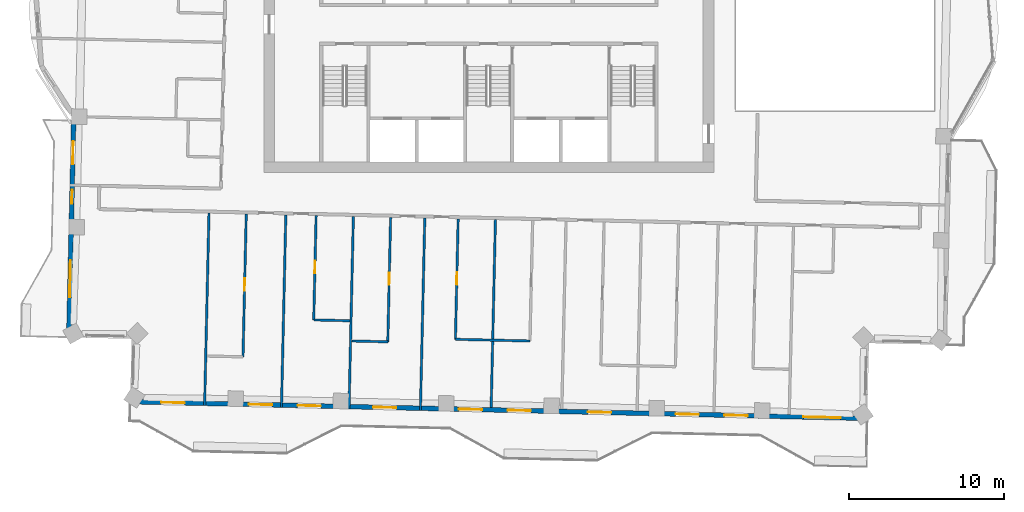
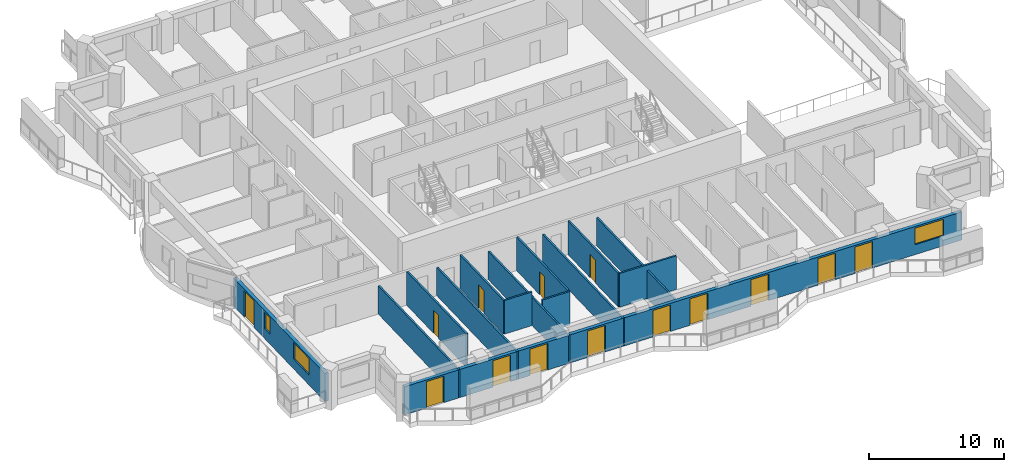
# One storey, part 6 of 17: 14 doors, 14 walls, 3 windows, 17 openings.
"""IFC4 building model written with IfcOpenShell, lengths in metres."""

from ifc_helpers import new_model, si_unit, direction, frame, frame_2d, origin, place, context, subcontext, project, spatial, rectangle, extrude, material, layer, layer_set, type_object, element, fill, save


model = new_model("IFC4")

# Units and contexts
model_context = context("Model", 3, precision=1e-05, world=origin(), true_north=direction((0.0, 1.0)))
body_context = subcontext(model_context, "Body", "Model", "MODEL_VIEW")
ifc_project = project(units=[si_unit("LENGTHUNIT", "METRE"), si_unit("AREAUNIT", "SQUARE_METRE"), si_unit("VOLUMEUNIT", "CUBIC_METRE"), si_unit("PLANEANGLEUNIT", "RADIAN"), si_unit("MASSUNIT", "GRAM", prefix="KILO")], contexts=[model_context])

# Site, building, storey
site_placement = place(None, origin())
site = spatial("IfcSite", under=ifc_project, at=site_placement, CompositionType="ELEMENT")
building_placement = place(site_placement, origin())
building = spatial("IfcBuilding", under=site, at=building_placement, Name="Mangrove Gate Tower", CompositionType="ELEMENT")
storey_placement = place(building_placement, frame((0.0, 0.0, 271.699951171875)))
storey = spatial("IfcBuildingStorey", under=building, at=storey_placement, Name="L69", CompositionType="ELEMENT", Elevation=271.699951171875)

# Wall, openings, door, windows
ifc_material_1 = material(Name="Limestone", Category="masonry")
ifc_layer_1 = layer(ifc_material_1, 0.0400390625, Name="Limestone cladding")
ifc_material_2 = material(Name="Ventilated air gap")
ifc_layer_2 = layer(ifc_material_2, 0.0400390625, Name="Ventilated cavity")
ifc_material_3 = material(Name="Mineral wool insulation")
ifc_layer_3 = layer(ifc_material_3, 0.06005859375, Name="Insulation")
ifc_material_4 = material(Name="Breather membrane")
ifc_layer_4 = layer(ifc_material_4, 0.001953125, Name="Breather membrane")
ifc_material_5 = material(Name="Concrete C20/25 blockwork", Category="masonry")
ifc_layer_5 = layer(ifc_material_5, 0.14990234375, Name="Blockwork backing wall")
ifc_material_6 = material(Name="Gypsum plaster")
ifc_layer_6 = layer(ifc_material_6, 0.008056640625, Name="Internal plaster")
ifc_layer_set_1 = layer_set([ifc_layer_1, ifc_layer_2, ifc_layer_3, ifc_layer_4, ifc_layer_5, ifc_layer_6], Name="External wall 300 limestone cladding")
wall_type_1 = type_object("IfcWallType", Name="External wall 300 limestone cladding", PredefinedType="SOLIDWALL", material=ifc_layer_set_1)
wall_1_placement = place(storey_placement, frame((-26.73291015625, -7.8291015625, 0.0), z_axis=(0.0, 0.0, 1.0), x_axis=(-0.022721405353, -0.999741835545, 0.0)))
wall_1 = element("IfcWall", 1, at=wall_1_placement, inside=storey, type_object=wall_type_1, Name="WALL-L69-W10", PredefinedType="SOLIDWALL", context=body_context, shape_type="SweptSolid", body=[
    extrude(rectangle(XDim=14.129638671875, YDim=0.300048828125, at=frame_2d((7.06494140625, 0.0))), origin(), (0.0, 0.0, 1.0), 2.550048828125),
])
opening_1_placement = place(wall_1_placement, frame((1.64208984375, 0.0, 0.0)))
opening_1 = element("IfcOpeningElement", 2, at=opening_1_placement, cuts=wall_1, Name="Opening BD1", PredefinedType="OPENING", context=body_context, shape_type="SweptSolid", body=[
    extrude(rectangle(XDim=1.5, YDim=2.39990234375, at=frame_2d((0.75, 1.199951171875))), frame((0.0, 0.159912109375, 0.0), z_axis=(0.0, -1.0, 0.0), x_axis=(1.0, 0.0, 0.0)), (0.0, 0.0, 1.0), 0.320068359375),
])
opening_2_placement = place(wall_1_placement, frame((4.779052734375, 0.0, 0.89990234375)))
opening_2 = element("IfcOpeningElement", 3, at=opening_2_placement, cuts=wall_1, Name="Opening W5", PredefinedType="OPENING", context=body_context, shape_type="SweptSolid", body=[
    extrude(rectangle(XDim=0.89990234375, YDim=1.5, at=frame_2d((0.449951171875, 0.75))), frame((0.0, 0.159912109375, 0.0), z_axis=(0.0, -1.0, 0.0), x_axis=(1.0, 0.0, 0.0)), (0.0, 0.0, 1.0), 0.320068359375),
])
opening_3_placement = place(wall_1_placement, frame((9.303955078125, 0.0, 0.89990234375)))
opening_3 = element("IfcOpeningElement", 4, at=opening_3_placement, cuts=wall_1, Name="Opening W2", PredefinedType="OPENING", context=body_context, shape_type="SweptSolid", body=[
    extrude(rectangle(XDim=2.39990234375, YDim=1.5, at=frame_2d((1.199951171875, 0.75))), frame((0.0, 0.159912109375, 0.0), z_axis=(0.0, -1.0, 0.0), x_axis=(1.0, 0.0, 0.0)), (0.0, 0.0, 1.0), 0.320068359375),
])
ifc_material_7 = material(Name="Aluminium frame with laminated clear glass", Category="aluminium")
door_type_1 = type_object("IfcDoorType", Name="Balcony sliding door 1500x2400", OperationType="SLIDING_TO_LEFT", PredefinedType="DOOR", material=ifc_material_7)
door_1_placement = place(opening_1_placement, origin())
door_1 = element("IfcDoor", 5, at=door_1_placement, inside=storey, type_object=door_type_1, Name="DOOR-L69-W10-1", OperationType="SLIDING_TO_LEFT", OverallHeight=2.39990234375, OverallWidth=1.5, PredefinedType="DOOR", context=body_context, shape_type="SweptSolid", body=[
    extrude(rectangle(XDim=1.5, YDim=2.39990234375, at=frame_2d((0.75, 1.199951171875))), frame((0.0, 0.02490234375, 0.0), z_axis=(0.0, -1.0, 0.0), x_axis=(1.0, 0.0, 0.0)), (0.0, 0.0, 1.0), 0.050048828125),
])
fill(opening_1, door_1)
ifc_material_8 = material(Name="Aluminium frame with double-glazed low-e glass", Category="aluminium")
window_type_1 = type_object("IfcWindowType", Name="Corner room window 2400x1500", PartitioningType="DOUBLE_PANEL_VERTICAL", PredefinedType="WINDOW", material=ifc_material_8)
window_1_placement = place(opening_3_placement, origin())
window_1 = element("IfcWindow", 6, at=window_1_placement, inside=storey, type_object=window_type_1, Name="WIN-L69-W10-3", OverallHeight=1.5, OverallWidth=2.39990234375, PartitioningType="DOUBLE_PANEL_VERTICAL", PredefinedType="WINDOW", context=body_context, shape_type="SweptSolid", body=[
    extrude(rectangle(XDim=2.39990234375, YDim=1.5, at=frame_2d((1.199951171875, 0.75))), frame((0.0, 0.030029296875, 0.0), z_axis=(0.0, -1.0, 0.0), x_axis=(1.0, 0.0, 0.0)), (0.0, 0.0, 1.0), 0.06005859375),
])
fill(opening_3, window_1)
ifc_material_9 = material(Name="Aluminium frame with double-glazed low-e glass", Category="aluminium")
window_type_2 = type_object("IfcWindowType", Name="Narrow window 900x1500", PartitioningType="SINGLE_PANEL", PredefinedType="WINDOW", material=ifc_material_9)
window_2_placement = place(opening_2_placement, origin())
window_2 = element("IfcWindow", 7, at=window_2_placement, inside=storey, type_object=window_type_2, Name="WIN-L69-W10-2", OverallHeight=1.5, OverallWidth=0.89990234375, PartitioningType="SINGLE_PANEL", PredefinedType="WINDOW", context=body_context, shape_type="SweptSolid", body=[
    extrude(rectangle(XDim=0.89990234375, YDim=1.5, at=frame_2d((0.449951171875, 0.75))), frame((0.0, 0.030029296875, 0.0), z_axis=(0.0, -1.0, 0.0), x_axis=(1.0, 0.0, 0.0)), (0.0, 0.0, 1.0), 0.06005859375),
])
fill(opening_2, window_2)

# Wall, openings, doors, window
wall_2_placement = place(storey_placement, frame((-22.949951171875, -26.2490234375, 0.0), z_axis=(0.0, 0.0, 1.0), x_axis=(0.999742196137, -0.022705533743, 0.0)))
wall_2 = element("IfcWall", 8, at=wall_2_placement, inside=storey, type_object=wall_type_1, Name="WALL-L69-S13", PredefinedType="SOLIDWALL", context=body_context, shape_type="SweptSolid", body=[
    extrude(rectangle(XDim=47.171142578125, YDim=0.300048828125, at=frame_2d((23.58544921875, 0.0))), origin(), (0.0, 0.0, 1.0), 2.550048828125),
])
opening_4_placement = place(wall_2_placement, frame((1.85107421875, 0.0, 0.0)))
opening_4 = element("IfcOpeningElement", 9, at=opening_4_placement, cuts=wall_2, Name="Opening BD1", PredefinedType="OPENING", context=body_context, shape_type="SweptSolid", body=[
    extrude(rectangle(XDim=1.5, YDim=2.39990234375, at=frame_2d((0.75, 1.199951171875))), frame((0.0, 0.159912109375, 0.0), z_axis=(0.0, -1.0, 0.0), x_axis=(1.0, 0.0, 0.0)), (0.0, 0.0, 1.0), 0.320068359375),
])
opening_5_placement = place(wall_2_placement, frame((7.490966796875, 0.0, 0.0)))
opening_5 = element("IfcOpeningElement", 10, at=opening_5_placement, cuts=wall_2, Name="Opening BD1", PredefinedType="OPENING", context=body_context, shape_type="SweptSolid", body=[
    extrude(rectangle(XDim=1.5, YDim=2.39990234375, at=frame_2d((0.75, 1.199951171875))), frame((0.0, 0.159912109375, 0.0), z_axis=(0.0, -1.0, 0.0), x_axis=(1.0, 0.0, 0.0)), (0.0, 0.0, 1.0), 0.320068359375),
])
opening_6_placement = place(wall_2_placement, frame((10.632080078125, 0.0, 0.0)))
opening_6 = element("IfcOpeningElement", 11, at=opening_6_placement, cuts=wall_2, Name="Opening BD1", PredefinedType="OPENING", context=body_context, shape_type="SweptSolid", body=[
    extrude(rectangle(XDim=1.5, YDim=2.39990234375, at=frame_2d((0.75, 1.199951171875))), frame((0.0, 0.159912109375, 0.0), z_axis=(0.0, -1.0, 0.0), x_axis=(1.0, 0.0, 0.0)), (0.0, 0.0, 1.0), 0.320068359375),
])
opening_7_placement = place(wall_2_placement, frame((15.5, 0.0, 0.0)))
opening_7 = element("IfcOpeningElement", 12, at=opening_7_placement, cuts=wall_2, Name="Opening BD1", PredefinedType="OPENING", context=body_context, shape_type="SweptSolid", body=[
    extrude(rectangle(XDim=1.5, YDim=2.39990234375, at=frame_2d((0.75, 1.199951171875))), frame((0.0, 0.159912109375, 0.0), z_axis=(0.0, -1.0, 0.0), x_axis=(1.0, 0.0, 0.0)), (0.0, 0.0, 1.0), 0.320068359375),
])
opening_8_placement = place(wall_2_placement, frame((21.02197265625, 0.0, 0.0)))
opening_8 = element("IfcOpeningElement", 13, at=opening_8_placement, cuts=wall_2, Name="Opening BD1", PredefinedType="OPENING", context=body_context, shape_type="SweptSolid", body=[
    extrude(rectangle(XDim=1.5, YDim=2.39990234375, at=frame_2d((0.75, 1.199951171875))), frame((0.0, 0.159912109375, 0.0), z_axis=(0.0, -1.0, 0.0), x_axis=(1.0, 0.0, 0.0)), (0.0, 0.0, 1.0), 0.320068359375),
])
opening_9_placement = place(wall_2_placement, frame((24.1630859375, 0.0, 0.0)))
opening_9 = element("IfcOpeningElement", 14, at=opening_9_placement, cuts=wall_2, Name="Opening BD1", PredefinedType="OPENING", context=body_context, shape_type="SweptSolid", body=[
    extrude(rectangle(XDim=1.5, YDim=2.39990234375, at=frame_2d((0.75, 1.199951171875))), frame((0.0, 0.159912109375, 0.0), z_axis=(0.0, -1.0, 0.0), x_axis=(1.0, 0.0, 0.0)), (0.0, 0.0, 1.0), 0.320068359375),
])
opening_10_placement = place(wall_2_placement, frame((29.324951171875, 0.0, 0.0)))
opening_10 = element("IfcOpeningElement", 15, at=opening_10_placement, cuts=wall_2, Name="Opening BD1", PredefinedType="OPENING", context=body_context, shape_type="SweptSolid", body=[
    extrude(rectangle(XDim=1.5, YDim=2.39990234375, at=frame_2d((0.75, 1.199951171875))), frame((0.0, 0.159912109375, 0.0), z_axis=(0.0, -1.0, 0.0), x_axis=(1.0, 0.0, 0.0)), (0.0, 0.0, 1.0), 0.320068359375),
])
opening_11_placement = place(wall_2_placement, frame((34.97900390625, 0.0, 0.0)))
opening_11 = element("IfcOpeningElement", 16, at=opening_11_placement, cuts=wall_2, Name="Opening BD1", PredefinedType="OPENING", context=body_context, shape_type="SweptSolid", body=[
    extrude(rectangle(XDim=1.5, YDim=2.39990234375, at=frame_2d((0.75, 1.199951171875))), frame((0.0, 0.159912109375, 0.0), z_axis=(0.0, -1.0, 0.0), x_axis=(1.0, 0.0, 0.0)), (0.0, 0.0, 1.0), 0.320068359375),
])
opening_12_placement = place(wall_2_placement, frame((38.1201171875, 0.0, 0.0)))
opening_12 = element("IfcOpeningElement", 17, at=opening_12_placement, cuts=wall_2, Name="Opening BD1", PredefinedType="OPENING", context=body_context, shape_type="SweptSolid", body=[
    extrude(rectangle(XDim=1.5, YDim=2.39990234375, at=frame_2d((0.75, 1.199951171875))), frame((0.0, 0.159912109375, 0.0), z_axis=(0.0, -1.0, 0.0), x_axis=(1.0, 0.0, 0.0)), (0.0, 0.0, 1.0), 0.320068359375),
])
opening_13_placement = place(wall_2_placement, frame((43.212890625, 0.0, 0.89990234375)))
opening_13 = element("IfcOpeningElement", 18, at=opening_13_placement, cuts=wall_2, Name="Opening W2", PredefinedType="OPENING", context=body_context, shape_type="SweptSolid", body=[
    extrude(rectangle(XDim=2.39990234375, YDim=1.5, at=frame_2d((1.199951171875, 0.75))), frame((0.0, 0.159912109375, 0.0), z_axis=(0.0, -1.0, 0.0), x_axis=(1.0, 0.0, 0.0)), (0.0, 0.0, 1.0), 0.320068359375),
])
door_2_placement = place(opening_4_placement, origin())
door_2 = element("IfcDoor", 19, at=door_2_placement, inside=storey, type_object=door_type_1, Name="DOOR-L69-S13-1", OperationType="SLIDING_TO_LEFT", OverallHeight=2.39990234375, OverallWidth=1.5, PredefinedType="DOOR", context=body_context, shape_type="SweptSolid", body=[
    extrude(rectangle(XDim=1.5, YDim=2.39990234375, at=frame_2d((0.75, 1.199951171875))), frame((0.0, 0.02490234375, 0.0), z_axis=(0.0, -1.0, 0.0), x_axis=(1.0, 0.0, 0.0)), (0.0, 0.0, 1.0), 0.050048828125),
])
fill(opening_4, door_2)
door_3_placement = place(opening_5_placement, origin())
door_3 = element("IfcDoor", 20, at=door_3_placement, inside=storey, type_object=door_type_1, Name="DOOR-L69-S13-2", OperationType="SLIDING_TO_LEFT", OverallHeight=2.39990234375, OverallWidth=1.5, PredefinedType="DOOR", context=body_context, shape_type="SweptSolid", body=[
    extrude(rectangle(XDim=1.5, YDim=2.39990234375, at=frame_2d((0.75, 1.199951171875))), frame((0.0, 0.02490234375, 0.0), z_axis=(0.0, -1.0, 0.0), x_axis=(1.0, 0.0, 0.0)), (0.0, 0.0, 1.0), 0.050048828125),
])
fill(opening_5, door_3)
door_4_placement = place(opening_6_placement, origin())
door_4 = element("IfcDoor", 21, at=door_4_placement, inside=storey, type_object=door_type_1, Name="DOOR-L69-S13-3", OperationType="SLIDING_TO_LEFT", OverallHeight=2.39990234375, OverallWidth=1.5, PredefinedType="DOOR", context=body_context, shape_type="SweptSolid", body=[
    extrude(rectangle(XDim=1.5, YDim=2.39990234375, at=frame_2d((0.75, 1.199951171875))), frame((0.0, 0.02490234375, 0.0), z_axis=(0.0, -1.0, 0.0), x_axis=(1.0, 0.0, 0.0)), (0.0, 0.0, 1.0), 0.050048828125),
])
fill(opening_6, door_4)
door_5_placement = place(opening_7_placement, origin())
door_5 = element("IfcDoor", 22, at=door_5_placement, inside=storey, type_object=door_type_1, Name="DOOR-L69-S13-4", OperationType="SLIDING_TO_LEFT", OverallHeight=2.39990234375, OverallWidth=1.5, PredefinedType="DOOR", context=body_context, shape_type="SweptSolid", body=[
    extrude(rectangle(XDim=1.5, YDim=2.39990234375, at=frame_2d((0.75, 1.199951171875))), frame((0.0, 0.02490234375, 0.0), z_axis=(0.0, -1.0, 0.0), x_axis=(1.0, 0.0, 0.0)), (0.0, 0.0, 1.0), 0.050048828125),
])
fill(opening_7, door_5)
door_6_placement = place(opening_8_placement, origin())
door_6 = element("IfcDoor", 23, at=door_6_placement, inside=storey, type_object=door_type_1, Name="DOOR-L69-S13-5", OperationType="SLIDING_TO_LEFT", OverallHeight=2.39990234375, OverallWidth=1.5, PredefinedType="DOOR", context=body_context, shape_type="SweptSolid", body=[
    extrude(rectangle(XDim=1.5, YDim=2.39990234375, at=frame_2d((0.75, 1.199951171875))), frame((0.0, 0.02490234375, 0.0), z_axis=(0.0, -1.0, 0.0), x_axis=(1.0, 0.0, 0.0)), (0.0, 0.0, 1.0), 0.050048828125),
])
fill(opening_8, door_6)
door_7_placement = place(opening_9_placement, origin())
door_7 = element("IfcDoor", 24, at=door_7_placement, inside=storey, type_object=door_type_1, Name="DOOR-L69-S13-6", OperationType="SLIDING_TO_LEFT", OverallHeight=2.39990234375, OverallWidth=1.5, PredefinedType="DOOR", context=body_context, shape_type="SweptSolid", body=[
    extrude(rectangle(XDim=1.5, YDim=2.39990234375, at=frame_2d((0.75, 1.199951171875))), frame((0.0, 0.02490234375, 0.0), z_axis=(0.0, -1.0, 0.0), x_axis=(1.0, 0.0, 0.0)), (0.0, 0.0, 1.0), 0.050048828125),
])
fill(opening_9, door_7)
door_8_placement = place(opening_10_placement, origin())
door_8 = element("IfcDoor", 25, at=door_8_placement, inside=storey, type_object=door_type_1, Name="DOOR-L69-S13-7", OperationType="SLIDING_TO_LEFT", OverallHeight=2.39990234375, OverallWidth=1.5, PredefinedType="DOOR", context=body_context, shape_type="SweptSolid", body=[
    extrude(rectangle(XDim=1.5, YDim=2.39990234375, at=frame_2d((0.75, 1.199951171875))), frame((0.0, 0.02490234375, 0.0), z_axis=(0.0, -1.0, 0.0), x_axis=(1.0, 0.0, 0.0)), (0.0, 0.0, 1.0), 0.050048828125),
])
fill(opening_10, door_8)
door_9_placement = place(opening_11_placement, origin())
door_9 = element("IfcDoor", 26, at=door_9_placement, inside=storey, type_object=door_type_1, Name="DOOR-L69-S13-8", OperationType="SLIDING_TO_LEFT", OverallHeight=2.39990234375, OverallWidth=1.5, PredefinedType="DOOR", context=body_context, shape_type="SweptSolid", body=[
    extrude(rectangle(XDim=1.5, YDim=2.39990234375, at=frame_2d((0.75, 1.199951171875))), frame((0.0, 0.02490234375, 0.0), z_axis=(0.0, -1.0, 0.0), x_axis=(1.0, 0.0, 0.0)), (0.0, 0.0, 1.0), 0.050048828125),
])
fill(opening_11, door_9)
door_10_placement = place(opening_12_placement, origin())
door_10 = element("IfcDoor", 27, at=door_10_placement, inside=storey, type_object=door_type_1, Name="DOOR-L69-S13-9", OperationType="SLIDING_TO_LEFT", OverallHeight=2.39990234375, OverallWidth=1.5, PredefinedType="DOOR", context=body_context, shape_type="SweptSolid", body=[
    extrude(rectangle(XDim=1.5, YDim=2.39990234375, at=frame_2d((0.75, 1.199951171875))), frame((0.0, 0.02490234375, 0.0), z_axis=(0.0, -1.0, 0.0), x_axis=(1.0, 0.0, 0.0)), (0.0, 0.0, 1.0), 0.050048828125),
])
fill(opening_12, door_10)
window_3_placement = place(opening_13_placement, origin())
window_3 = element("IfcWindow", 28, at=window_3_placement, inside=storey, type_object=window_type_1, Name="WIN-L69-S13-10", OverallHeight=1.5, OverallWidth=2.39990234375, PartitioningType="DOUBLE_PANEL_VERTICAL", PredefinedType="WINDOW", context=body_context, shape_type="SweptSolid", body=[
    extrude(rectangle(XDim=2.39990234375, YDim=1.5, at=frame_2d((1.199951171875, 0.75))), frame((0.0, 0.030029296875, 0.0), z_axis=(0.0, -1.0, 0.0), x_axis=(1.0, 0.0, 0.0)), (0.0, 0.0, 1.0), 0.06005859375),
])
fill(opening_13, window_3)

# Walls
ifc_material_10 = material(Name="Gypsum board on steel stud, EI 60", Category="steel")
ifc_layer_7 = layer(ifc_material_10, 0.14990234375)
ifc_layer_set_2 = layer_set([ifc_layer_7], Name="Party wall 150 EI 60")
wall_type_2 = type_object("IfcWallType", Name="Party wall 150 EI 60", PredefinedType="PARTITIONING", material=ifc_layer_set_2)
for number, where, z_axis, x_axis, name in (
    (29, (-18.30908203125, -26.5048828125, 0.0), (0.0, 0.0, 1.0), (0.022661475803, 0.999743195783, 0.0), "WALL-L69-001"),
    (30, (-13.360107421875, -26.616943359375, 0.0), (0.0, 0.0, 1.0), (0.022661475803, 0.999743195783, 0.0), "WALL-L69-002"),
    (31, (-9.010986328125, -26.716064453125, 0.0), (0.0, 0.0, 1.0), (0.022661475803, 0.999743195783, 0.0), "WALL-L69-003"),
    (32, (-4.4130859375, -26.820068359375, 0.0), (0.0, 0.0, 1.0), (0.022740189192, 0.999741408463, 0.0), "WALL-L69-004"),
):
    element("IfcWall", number, at=place(storey_placement, frame(where, z_axis=z_axis, x_axis=x_axis)), inside=storey, type_object=wall_type_2, Name=name, PredefinedType="PARTITIONING", context=body_context, shape_type="SweptSolid", body=[
        extrude(rectangle(XDim=12.400146484375, YDim=0.14990234375, at=frame_2d((6.2001953125, 0.0))), origin(), (0.0, 0.0, 1.0), 2.550048828125),
    ])
wall_3_placement = place(storey_placement, frame((0.14306640625, -26.623046875, 0.0), z_axis=(0.0, 0.0, 1.0), x_axis=(0.022718655443, 0.999741898039, 0.0)))
element("IfcWall", 33, at=wall_3_placement, inside=storey, type_object=wall_type_2, Name="WALL-L69-005", PredefinedType="PARTITIONING", context=body_context, shape_type="SweptSolid", body=[
    extrude(rectangle(XDim=12.100341796875, YDim=0.14990234375, at=frame_2d((6.05029296875, 0.0))), origin(), (0.0, 0.0, 1.0), 2.550048828125),
])

# Wall, opening, door
wall_4_placement = place(storey_placement, frame((-15.8369140625, -23.360107421875, 0.0), z_axis=(0.0, 0.0, 1.0), x_axis=(0.02271477479, 0.999741986218, 0.0)))
wall_4 = element("IfcWall", 34, at=wall_4_placement, inside=storey, type_object=wall_type_2, Name="WALL-L69-011", PredefinedType="PARTITIONING", context=body_context, shape_type="SweptSolid", body=[
    extrude(rectangle(XDim=9.200439453125, YDim=0.14990234375, at=frame_2d((4.60009765625, 0.0))), origin(), (0.0, 0.0, 1.0), 3.050048828125),
])
opening_14_placement = place(wall_4_placement, frame((4.25, 0.0, 0.0)))
opening_14 = element("IfcOpeningElement", 35, at=opening_14_placement, cuts=wall_4, Name="Opening ED", PredefinedType="OPENING", context=body_context, shape_type="SweptSolid", body=[
    extrude(rectangle(XDim=0.800048828125, YDim=2.10009765625, at=frame_2d((0.39990234375, 1.050048828125))), frame((0.0, 0.0849609375, 0.0), z_axis=(0.0, -1.0, 0.0), x_axis=(1.0, 0.0, 0.0)), (0.0, 0.0, 1.0), 0.169921875),
])
ifc_material_11 = material(Name="Timber door leaf", Category="wood")
door_type_2 = type_object("IfcDoorType", Name="En-suite door 800", OperationType="SINGLE_SWING_LEFT", PredefinedType="DOOR", material=ifc_material_11)
door_11_placement = place(opening_14_placement, origin())
door_11 = element("IfcDoor", 36, at=door_11_placement, inside=storey, type_object=door_type_2, Name="DOOR-L69-ENS-c101", OperationType="SINGLE_SWING_LEFT", OverallHeight=2.10009765625, OverallWidth=0.800048828125, PredefinedType="DOOR", context=body_context, shape_type="SweptSolid", body=[
    extrude(rectangle(XDim=0.800048828125, YDim=2.10009765625, at=frame_2d((0.39990234375, 1.050048828125))), frame((0.0, 0.02490234375, 0.0), z_axis=(0.0, -1.0, 0.0), x_axis=(1.0, 0.0, 0.0)), (0.0, 0.0, 1.0), 0.050048828125),
])
fill(opening_14, door_11)

# Wall
wall_5_placement = place(storey_placement, frame((-8.8330078125, -22.339111328125, 0.0), z_axis=(0.0, 0.0, 1.0), x_axis=(0.999749744571, -0.022370700241, 0.0)))
element("IfcWall", 37, at=wall_5_placement, inside=storey, type_object=wall_type_2, Name="WALL-L69-017", PredefinedType="PARTITIONING", context=body_context, shape_type="SweptSolid", body=[
    extrude(rectangle(XDim=2.324462890625, YDim=0.14990234375, at=frame_2d((1.162109375, 0.0))), origin(), (0.0, 0.0, 1.0), 3.050048828125),
])

# Wall, opening, door
wall_6_placement = place(storey_placement, frame((-6.512939453125, -22.39111328125, 0.0), z_axis=(0.0, 0.0, 1.0), x_axis=(0.022678533363, 0.999742808989, 0.0)))
wall_6 = element("IfcWall", 38, at=wall_6_placement, inside=storey, type_object=wall_type_2, Name="WALL-L69-018", PredefinedType="PARTITIONING", context=body_context, shape_type="SweptSolid", body=[
    extrude(rectangle(XDim=8.02001953125, YDim=0.14990234375, at=frame_2d((4.010009765625, 0.0))), origin(), (0.0, 0.0, 1.0), 3.050048828125),
])
opening_15_placement = place(wall_6_placement, frame((3.659912109375, 0.0, 0.0)))
opening_15 = element("IfcOpeningElement", 39, at=opening_15_placement, cuts=wall_6, Name="Opening ED", PredefinedType="OPENING", context=body_context, shape_type="SweptSolid", body=[
    extrude(rectangle(XDim=0.800048828125, YDim=2.10009765625, at=frame_2d((0.39990234375, 1.050048828125))), frame((0.0, 0.0849609375, 0.0), z_axis=(0.0, -1.0, 0.0), x_axis=(1.0, 0.0, 0.0)), (0.0, 0.0, 1.0), 0.169921875),
])
door_12_placement = place(opening_15_placement, origin())
door_12 = element("IfcDoor", 40, at=door_12_placement, inside=storey, type_object=door_type_2, Name="DOOR-L69-ENS-c103", OperationType="SINGLE_SWING_LEFT", OverallHeight=2.10009765625, OverallWidth=0.800048828125, PredefinedType="DOOR", context=body_context, shape_type="SweptSolid", body=[
    extrude(rectangle(XDim=0.800048828125, YDim=2.10009765625, at=frame_2d((0.39990234375, 1.050048828125))), frame((0.0, 0.02490234375, 0.0), z_axis=(0.0, -1.0, 0.0), x_axis=(1.0, 0.0, 0.0)), (0.0, 0.0, 1.0), 0.050048828125),
])
fill(opening_15, door_12)

wall_7_placement = place(storey_placement, frame((-2.157958984375, -22.22998046875, 0.0), z_axis=(0.0, 0.0, 1.0), x_axis=(0.022683528451, 0.999742695666, 0.0)))
wall_7 = element("IfcWall", 41, at=wall_7_placement, inside=storey, type_object=wall_type_2, Name="WALL-L69-019", PredefinedType="PARTITIONING", context=body_context, shape_type="SweptSolid", body=[
    extrude(rectangle(XDim=7.760009765625, YDim=0.14990234375, at=frame_2d((3.8798828125, 0.0))), origin(), (0.0, 0.0, 1.0), 3.050048828125),
])
opening_16_placement = place(wall_7_placement, frame((3.530029296875, 0.0, 0.0)))
opening_16 = element("IfcOpeningElement", 42, at=opening_16_placement, cuts=wall_7, Name="Opening ED", PredefinedType="OPENING", context=body_context, shape_type="SweptSolid", body=[
    extrude(rectangle(XDim=0.800048828125, YDim=2.10009765625, at=frame_2d((0.39990234375, 1.050048828125))), frame((0.0, 0.0849609375, 0.0), z_axis=(0.0, -1.0, 0.0), x_axis=(1.0, 0.0, 0.0)), (0.0, 0.0, 1.0), 0.169921875),
])
door_13_placement = place(opening_16_placement, origin())
door_13 = element("IfcDoor", 43, at=door_13_placement, inside=storey, type_object=door_type_2, Name="DOOR-L69-ENS-c104", OperationType="SINGLE_SWING_RIGHT", OverallHeight=2.10009765625, OverallWidth=0.800048828125, PredefinedType="DOOR", context=body_context, shape_type="SweptSolid", body=[
    extrude(rectangle(XDim=0.800048828125, YDim=2.10009765625, at=frame_2d((0.39990234375, 1.050048828125))), frame((0.0, 0.02490234375, 0.0), z_axis=(0.0, -1.0, 0.0), x_axis=(1.0, 0.0, 0.0)), (0.0, 0.0, 1.0), 0.050048828125),
])
fill(opening_16, door_13)

# Wall
wall_8_placement = place(storey_placement, frame((-2.154052734375, -22.22998046875, 0.0), z_axis=(0.0, 0.0, 1.0), x_axis=(0.99974154664, -0.022734113616, 0.0)))
element("IfcWall", 44, at=wall_8_placement, inside=storey, type_object=wall_type_2, Name="WALL-L69-020", PredefinedType="PARTITIONING", context=body_context, shape_type="SweptSolid", body=[
    extrude(rectangle(XDim=4.80029296875, YDim=0.14990234375, at=frame_2d((2.400146484375, 0.0))), origin(), (0.0, 0.0, 1.0), 3.050048828125),
])

# Wall, opening, door
wall_9_placement = place(storey_placement, frame((-11.281982421875, -20.98291015625, 0.0), z_axis=(0.0, 0.0, 1.0), x_axis=(0.022776692057, 0.999740577499, 0.0)))
wall_9 = element("IfcWall", 45, at=wall_9_placement, inside=storey, type_object=wall_type_2, Name="WALL-L69-022", PredefinedType="PARTITIONING", context=body_context, shape_type="SweptSolid", body=[
    extrude(rectangle(XDim=6.720703125, YDim=0.14990234375, at=frame_2d((3.3603515625, 0.0))), origin(), (0.0, 0.0, 1.0), 3.050048828125),
])
opening_17_placement = place(wall_9_placement, frame((3.010009765625, 0.0, 0.0)))
opening_17 = element("IfcOpeningElement", 46, at=opening_17_placement, cuts=wall_9, Name="Opening ED", PredefinedType="OPENING", context=body_context, shape_type="SweptSolid", body=[
    extrude(rectangle(XDim=0.800048828125, YDim=2.10009765625, at=frame_2d((0.39990234375, 1.050048828125))), frame((0.0, 0.0849609375, 0.0), z_axis=(0.0, -1.0, 0.0), x_axis=(1.0, 0.0, 0.0)), (0.0, 0.0, 1.0), 0.169921875),
])
door_14_placement = place(opening_17_placement, origin())
door_14 = element("IfcDoor", 47, at=door_14_placement, inside=storey, type_object=door_type_2, Name="DOOR-L69-ENS-c102", OperationType="SINGLE_SWING_RIGHT", OverallHeight=2.10009765625, OverallWidth=0.800048828125, PredefinedType="DOOR", context=body_context, shape_type="SweptSolid", body=[
    extrude(rectangle(XDim=0.800048828125, YDim=2.10009765625, at=frame_2d((0.39990234375, 1.050048828125))), frame((0.0, 0.02490234375, 0.0), z_axis=(0.0, -1.0, 0.0), x_axis=(1.0, 0.0, 0.0)), (0.0, 0.0, 1.0), 0.050048828125),
])
fill(opening_17, door_14)

# Wall
wall_10_placement = place(storey_placement, frame((-11.278076171875, -20.98291015625, 0.0), z_axis=(0.0, 0.0, 1.0), x_axis=(0.999740260747, -0.02279059109, 0.0)))
element("IfcWall", 48, at=wall_10_placement, inside=storey, type_object=wall_type_2, Name="WALL-L69-023", PredefinedType="PARTITIONING", context=body_context, shape_type="SweptSolid", body=[
    extrude(rectangle(XDim=2.324462890625, YDim=0.14990234375, at=frame_2d((1.162109375, 0.0))), origin(), (0.0, 0.0, 1.0), 3.050048828125),
])

save(model, "model.ifc")
